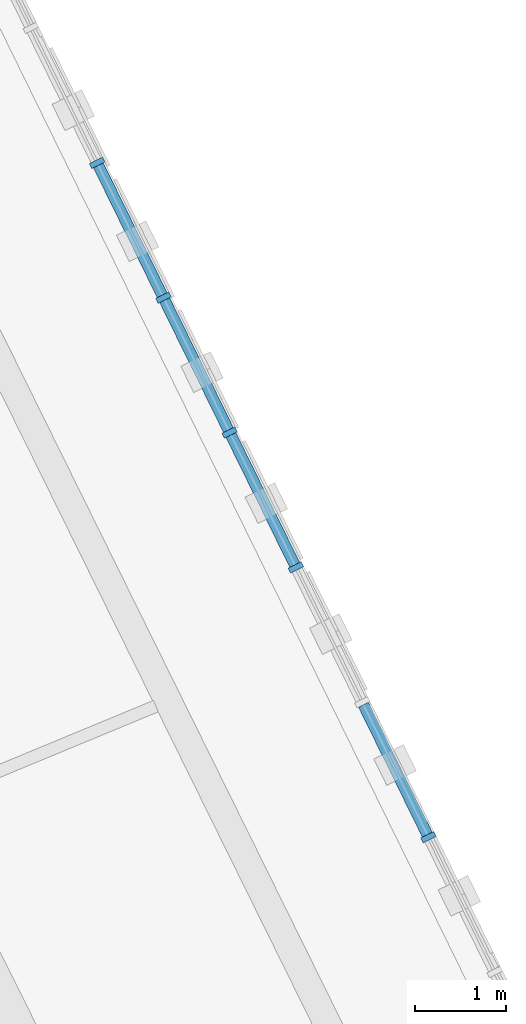
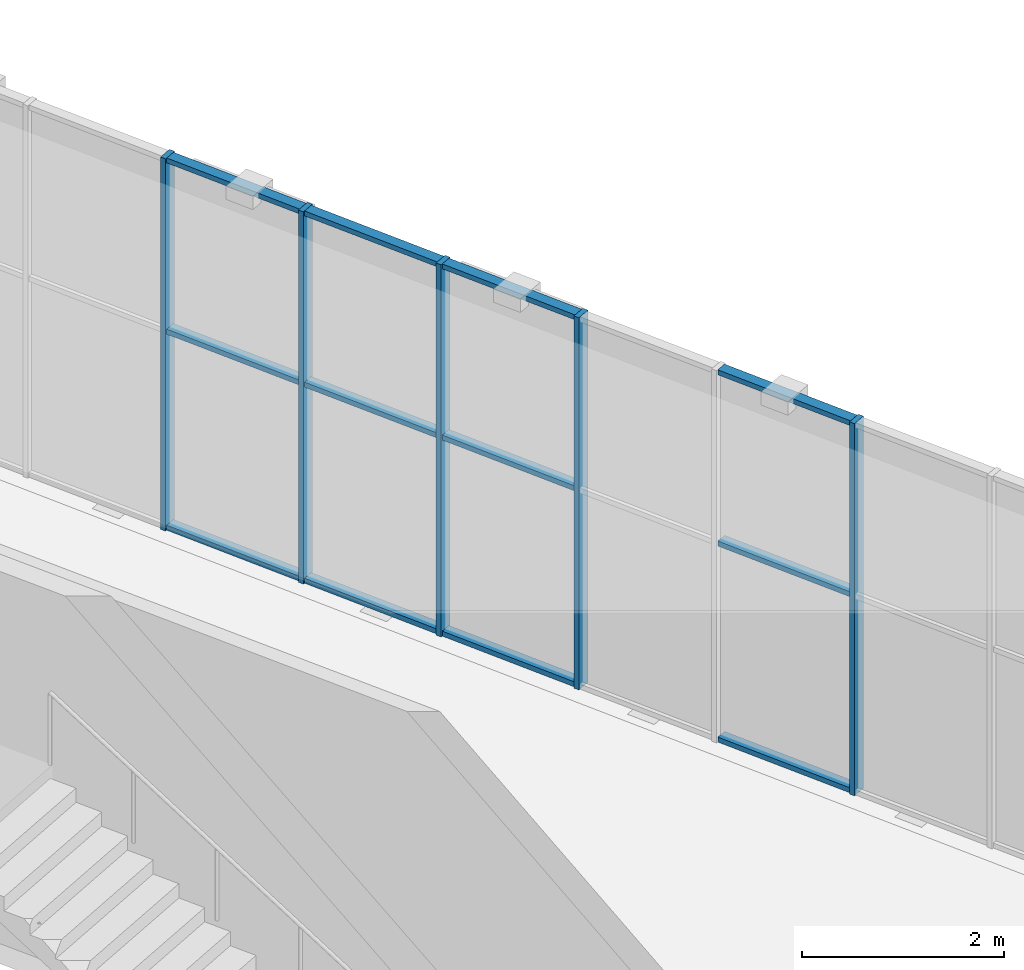
# One storey, part 44 of 179: 17 members, 1 element without a shape of its own.
"""IFC4 building model written with IfcOpenShell, lengths in metres."""

from ifc_helpers import new_model, si_unit, direction, frame, origin, origin_2d, place, context, subcontext, project, spatial, rectangle, extrude, material, material_profile, profile_set, type_object, element, aggregate, save


model = new_model("IFC4")

# Units and contexts
model_context = context("Model", 3, precision=1e-05, world=origin(), true_north=direction((0.0, 1.0)))
body_context = subcontext(model_context, "Body", "Model", "MODEL_VIEW")
ifc_project = project(units=[si_unit("LENGTHUNIT", "METRE"), si_unit("AREAUNIT", "SQUARE_METRE"), si_unit("VOLUMEUNIT", "CUBIC_METRE"), si_unit("PLANEANGLEUNIT", "RADIAN"), si_unit("MASSUNIT", "GRAM", prefix="KILO")], contexts=[model_context])

# Site, building, storey
site_placement = place(None, origin())
site = spatial("IfcSite", under=ifc_project, at=site_placement, CompositionType="ELEMENT")
building_placement = place(site_placement, origin())
building = spatial("IfcBuilding", under=site, at=building_placement, Name="Zevraka Park Crest Stadium", CompositionType="ELEMENT")
storey_placement = place(building_placement, frame((0.0, 0.0, 10.199951171875)))
storey = spatial("IfcBuildingStorey", under=building, at=storey_placement, Name="L02", CompositionType="ELEMENT", Elevation=10.199951171875)

# Curtain wall, members
ifc_material_1 = material(Name="Anodised architectural aluminium and laminated safety glass", Category="aluminium")
curtain_wall_type = type_object("IfcCurtainWallType", Name="CW07", PredefinedType="NOTDEFINED", material=ifc_material_1)
curtain_wall_placement = place(storey_placement, origin())
curtain_wall = element("IfcCurtainWall", 1, at=curtain_wall_placement, inside=storey, type_object=curtain_wall_type, Name="Unitised Ring Curtain Wall CW07 L02-01", PredefinedType="NOTDEFINED")
ifc_material_2 = material(Name="Anodised architectural aluminium", Category="aluminium")
ifc_material_profile_1 = material_profile(ifc_material_2, rectangle(XDim=0.159912109375, YDim=0.06005859375, at=origin_2d()), Name="ALU MULLION 160x60")
ifc_profile_set_1 = profile_set([ifc_material_profile_1], Name="Anodised architectural aluminium")
member_type_1 = type_object("IfcMemberType", Name="CM01", PredefinedType="MULLION", material=ifc_profile_set_1)
member_1_placement = place(storey_placement, frame((200.489990234375, 120.295654296875, 0.0), z_axis=(0.0, 0.0, 1.0), x_axis=(-0.897496768201, -0.441021032455, 0.0)))
member_1 = element("IfcMember", 2, at=member_1_placement, type_object=member_type_1, Name="CW07 mullion 6", PredefinedType="MULLION", context=body_context, shape_type="SweptSolid", body=[
    extrude(rectangle(XDim=0.159912109375, YDim=0.06005859375, at=origin_2d()), origin(), (0.0, 0.0, 1.0), 4.5),
])
member_2_placement = place(storey_placement, frame((199.041259765625, 123.244140625, 0.0), z_axis=(0.0, 0.0, 1.0), x_axis=(-0.897496768201, -0.441021032455, 0.0)))
member_2 = element("IfcMember", 3, at=member_2_placement, type_object=member_type_1, Name="CW07 mullion 8", PredefinedType="MULLION", context=body_context, shape_type="SweptSolid", body=[
    extrude(rectangle(XDim=0.159912109375, YDim=0.06005859375, at=origin_2d()), origin(), (0.0, 0.0, 1.0), 4.5),
])
member_3_placement = place(storey_placement, frame((198.31689453125, 124.71826171875, 0.0), z_axis=(0.0, 0.0, 1.0), x_axis=(-0.897496768201, -0.441021032455, 0.0)))
member_3 = element("IfcMember", 4, at=member_3_placement, type_object=member_type_1, Name="CW07 mullion 9", PredefinedType="MULLION", context=body_context, shape_type="SweptSolid", body=[
    extrude(rectangle(XDim=0.159912109375, YDim=0.06005859375, at=origin_2d()), origin(), (0.0, 0.0, 1.0), 4.5),
])
member_4_placement = place(storey_placement, frame((197.592529296875, 126.1923828125, 0.0), z_axis=(0.0, 0.0, 1.0), x_axis=(-0.897496768201, -0.441021032455, 0.0)))
member_4 = element("IfcMember", 5, at=member_4_placement, type_object=member_type_1, Name="CW07 mullion 10", PredefinedType="MULLION", context=body_context, shape_type="SweptSolid", body=[
    extrude(rectangle(XDim=0.159912109375, YDim=0.06005859375, at=origin_2d()), origin(), (0.0, 0.0, 1.0), 4.5),
])
member_5_placement = place(storey_placement, frame((196.8681640625, 127.66650390625, 0.0), z_axis=(0.0, 0.0, 1.0), x_axis=(-0.897496768201, -0.441021032455, 0.0)))
member_5 = element("IfcMember", 6, at=member_5_placement, type_object=member_type_1, Name="CW07 mullion 11", PredefinedType="MULLION", context=body_context, shape_type="SweptSolid", body=[
    extrude(rectangle(XDim=0.159912109375, YDim=0.06005859375, at=origin_2d()), origin(), (0.0, 0.0, 1.0), 4.5),
])
ifc_material_3 = material(Name="Anodised architectural aluminium", Category="aluminium")
ifc_material_profile_2 = material_profile(ifc_material_3, rectangle(XDim=0.1201171875, YDim=0.06005859375, at=origin_2d()), Name="ALU TRANSOM 120x60")
ifc_profile_set_2 = profile_set([ifc_material_profile_2], Name="Anodised architectural aluminium")
member_type_2 = type_object("IfcMemberType", Name="CT01", PredefinedType="USERDEFINED", material=ifc_profile_set_2)
member_6_placement = place(storey_placement, frame((200.476806640625, 120.32275390625, 0.030029296875), z_axis=(-0.441093576416, 0.897461117177, 0.0), x_axis=(-0.897461117177, -0.441093576416, 0.0)))
member_6 = element("IfcMember", 7, at=member_6_placement, type_object=member_type_2, Name="CW07 transom 6.1", ObjectType="TRANSOM", PredefinedType="USERDEFINED", context=body_context, shape_type="SweptSolid", body=[
    extrude(rectangle(XDim=0.1201171875, YDim=0.06005859375, at=origin_2d()), origin(), (0.0, 0.0, 1.0), 1.58251953125),
])
member_7_placement = place(storey_placement, frame((200.476806640625, 120.32275390625, 2.400146484375), z_axis=(-0.441093576416, 0.897461117177, 0.0), x_axis=(-0.897461117177, -0.441093576416, 0.0)))
member_7 = element("IfcMember", 8, at=member_7_placement, type_object=member_type_2, Name="CW07 transom 6.2", ObjectType="TRANSOM", PredefinedType="USERDEFINED", context=body_context, shape_type="SweptSolid", body=[
    extrude(rectangle(XDim=0.1201171875, YDim=0.06005859375, at=origin_2d()), origin(), (0.0, 0.0, 1.0), 1.58251953125),
])
member_8_placement = place(storey_placement, frame((200.476806640625, 120.32275390625, 4.469970703125), z_axis=(-0.441093576416, 0.897461117177, 0.0), x_axis=(-0.897461117177, -0.441093576416, 0.0)))
member_8 = element("IfcMember", 9, at=member_8_placement, type_object=member_type_2, Name="CW07 transom 6.3", ObjectType="TRANSOM", PredefinedType="USERDEFINED", context=body_context, shape_type="SweptSolid", body=[
    extrude(rectangle(XDim=0.1201171875, YDim=0.06005859375, at=origin_2d()), origin(), (0.0, 0.0, 1.0), 1.58251953125),
])
member_9_placement = place(storey_placement, frame((199.028076171875, 123.27099609375, 0.030029296875), z_axis=(-0.441032508924, 0.897491128687, 0.0), x_axis=(-0.897491128687, -0.441032508924, 0.0)))
member_9 = element("IfcMember", 10, at=member_9_placement, type_object=member_type_2, Name="CW07 transom 8.1", ObjectType="TRANSOM", PredefinedType="USERDEFINED", context=body_context, shape_type="SweptSolid", body=[
    extrude(rectangle(XDim=0.1201171875, YDim=0.06005859375, at=origin_2d()), origin(), (0.0, 0.0, 1.0), 1.582763671875),
])
member_10_placement = place(storey_placement, frame((199.028076171875, 123.27099609375, 2.400146484375), z_axis=(-0.441032508924, 0.897491128687, 0.0), x_axis=(-0.897491128687, -0.441032508924, 0.0)))
member_10 = element("IfcMember", 11, at=member_10_placement, type_object=member_type_2, Name="CW07 transom 8.2", ObjectType="TRANSOM", PredefinedType="USERDEFINED", context=body_context, shape_type="SweptSolid", body=[
    extrude(rectangle(XDim=0.1201171875, YDim=0.06005859375, at=origin_2d()), origin(), (0.0, 0.0, 1.0), 1.582763671875),
])
member_11_placement = place(storey_placement, frame((199.028076171875, 123.27099609375, 4.469970703125), z_axis=(-0.441032508924, 0.897491128687, 0.0), x_axis=(-0.897491128687, -0.441032508924, 0.0)))
member_11 = element("IfcMember", 12, at=member_11_placement, type_object=member_type_2, Name="CW07 transom 8.3", ObjectType="TRANSOM", PredefinedType="USERDEFINED", context=body_context, shape_type="SweptSolid", body=[
    extrude(rectangle(XDim=0.1201171875, YDim=0.06005859375, at=origin_2d()), origin(), (0.0, 0.0, 1.0), 1.582763671875),
])
member_12_placement = place(storey_placement, frame((198.3037109375, 124.7451171875, 0.030029296875), z_axis=(-0.441032508924, 0.897491128687, 0.0), x_axis=(-0.897491128687, -0.441032508924, 0.0)))
member_12 = element("IfcMember", 13, at=member_12_placement, type_object=member_type_2, Name="CW07 transom 9.1", ObjectType="TRANSOM", PredefinedType="USERDEFINED", context=body_context, shape_type="SweptSolid", body=[
    extrude(rectangle(XDim=0.1201171875, YDim=0.06005859375, at=origin_2d()), origin(), (0.0, 0.0, 1.0), 1.582763671875),
])
member_13_placement = place(storey_placement, frame((198.3037109375, 124.7451171875, 2.400146484375), z_axis=(-0.441032508924, 0.897491128687, 0.0), x_axis=(-0.897491128687, -0.441032508924, 0.0)))
member_13 = element("IfcMember", 14, at=member_13_placement, type_object=member_type_2, Name="CW07 transom 9.2", ObjectType="TRANSOM", PredefinedType="USERDEFINED", context=body_context, shape_type="SweptSolid", body=[
    extrude(rectangle(XDim=0.1201171875, YDim=0.06005859375, at=origin_2d()), origin(), (0.0, 0.0, 1.0), 1.582763671875),
])
member_14_placement = place(storey_placement, frame((198.3037109375, 124.7451171875, 4.469970703125), z_axis=(-0.441032508924, 0.897491128687, 0.0), x_axis=(-0.897491128687, -0.441032508924, 0.0)))
member_14 = element("IfcMember", 15, at=member_14_placement, type_object=member_type_2, Name="CW07 transom 9.3", ObjectType="TRANSOM", PredefinedType="USERDEFINED", context=body_context, shape_type="SweptSolid", body=[
    extrude(rectangle(XDim=0.1201171875, YDim=0.06005859375, at=origin_2d()), origin(), (0.0, 0.0, 1.0), 1.582763671875),
])
member_15_placement = place(storey_placement, frame((197.579345703125, 126.21923828125, 0.030029296875), z_axis=(-0.441032508924, 0.897491128687, 0.0), x_axis=(-0.897491128687, -0.441032508924, 0.0)))
member_15 = element("IfcMember", 16, at=member_15_placement, type_object=member_type_2, Name="CW07 transom 10.1", ObjectType="TRANSOM", PredefinedType="USERDEFINED", context=body_context, shape_type="SweptSolid", body=[
    extrude(rectangle(XDim=0.1201171875, YDim=0.06005859375, at=origin_2d()), origin(), (0.0, 0.0, 1.0), 1.582763671875),
])
member_16_placement = place(storey_placement, frame((197.579345703125, 126.21923828125, 2.400146484375), z_axis=(-0.441032508924, 0.897491128687, 0.0), x_axis=(-0.897491128687, -0.441032508924, 0.0)))
member_16 = element("IfcMember", 17, at=member_16_placement, type_object=member_type_2, Name="CW07 transom 10.2", ObjectType="TRANSOM", PredefinedType="USERDEFINED", context=body_context, shape_type="SweptSolid", body=[
    extrude(rectangle(XDim=0.1201171875, YDim=0.06005859375, at=origin_2d()), origin(), (0.0, 0.0, 1.0), 1.582763671875),
])
member_17_placement = place(storey_placement, frame((197.579345703125, 126.21923828125, 4.469970703125), z_axis=(-0.441032508924, 0.897491128687, 0.0), x_axis=(-0.897491128687, -0.441032508924, 0.0)))
member_17 = element("IfcMember", 18, at=member_17_placement, type_object=member_type_2, Name="CW07 transom 10.3", ObjectType="TRANSOM", PredefinedType="USERDEFINED", context=body_context, shape_type="SweptSolid", body=[
    extrude(rectangle(XDim=0.1201171875, YDim=0.06005859375, at=origin_2d()), origin(), (0.0, 0.0, 1.0), 1.582763671875),
])
aggregate(curtain_wall, [member_1, member_2, member_3, member_4, member_5, member_6, member_7, member_8, member_9, member_10, member_11, member_12, member_13, member_14, member_15, member_16, member_17])

save(model, "model.ifc")
